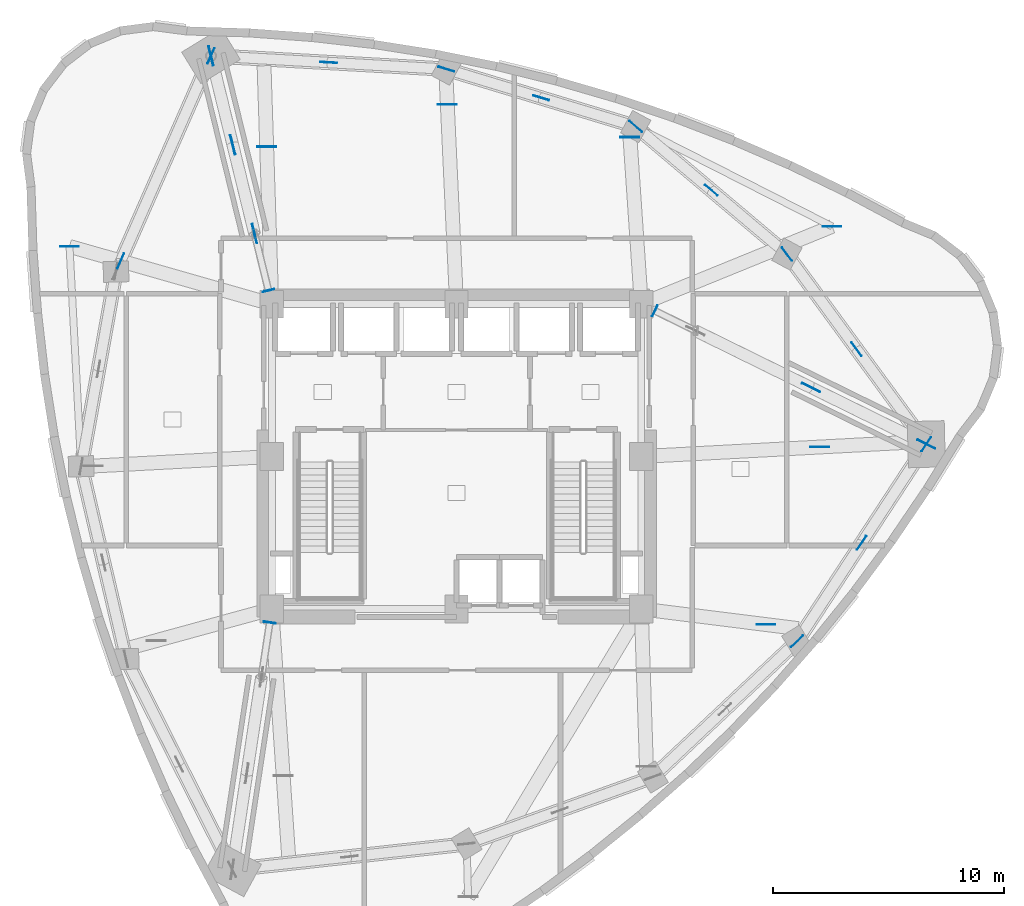
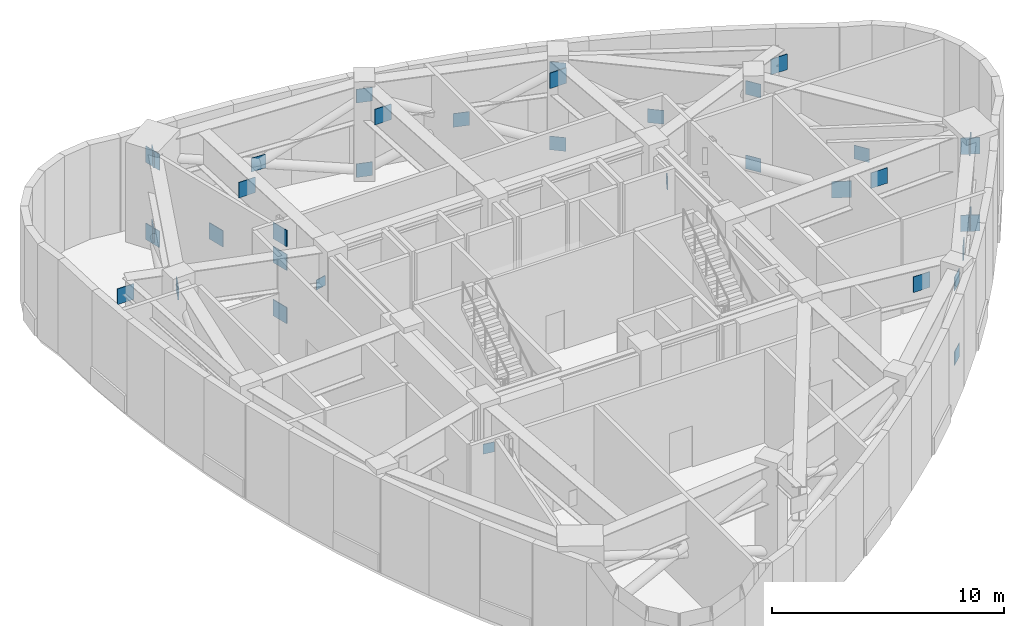
# One storey, part 6 of 12: 37 plates.
"""IFC4 building model written with IfcOpenShell, lengths in metres."""

from ifc_helpers import new_model, si_unit, direction, frame, origin, origin_2d, place, context, subcontext, project, spatial, rectangle, extrude, material, layer, layer_set, type_object, element, save


model = new_model("IFC4")

# Units and contexts
model_context = context("Model", 3, precision=1e-05, world=origin(), true_north=direction((0.0, 1.0)))
body_context = subcontext(model_context, "Body", "Model", "MODEL_VIEW")
ifc_project = project(units=[si_unit("LENGTHUNIT", "METRE"), si_unit("AREAUNIT", "SQUARE_METRE"), si_unit("VOLUMEUNIT", "CUBIC_METRE"), si_unit("PLANEANGLEUNIT", "RADIAN"), si_unit("MASSUNIT", "GRAM", prefix="KILO")], contexts=[model_context])

# Site, building, storey
site_placement = place(None, origin())
site = spatial("IfcSite", under=ifc_project, at=site_placement, CompositionType="ELEMENT")
building_placement = place(site_placement, origin())
building = spatial("IfcBuilding", under=site, at=building_placement, Name="Ndelora Gate Hotel", CompositionType="ELEMENT")
storey_placement = place(building_placement, frame((0.0, 0.0, 168.5)))
storey = spatial("IfcBuildingStorey", under=building, at=storey_placement, Name="L42", CompositionType="ELEMENT", Elevation=168.5)

# Plates
ifc_material = material(Name="Steel S460", Category="steel")
ifc_layer_1 = layer(ifc_material, 0.035888671875)
ifc_layer_set_1 = layer_set([ifc_layer_1], Name="Steel S460")
plate_type_1 = type_object("IfcPlateType", Name="PL-EMBED-EP1", PredefinedType="USERDEFINED", material=ifc_layer_set_1)
for number, where, z_axis, x_axis, name in (
    (1, (-8.14453125, 7.18994140625, 2.5400390625), (0.0, 0.0, 1.0), (0.971300571005, 0.237855419878, 0.0), "L42 Core shear-wall cast-in embed plate EP1"),
    (2, (-8.08935546875, -7.18994140625, 2.5400390625), (0.0, 0.0, 1.0), (-0.988704123128, 0.149880475413, 0.0), "L42 Core shear-wall cast-in embed plate EP1"),
    (3, (8.590087890625, 6.31005859375, 2.5400390625), (0.0, 0.0, 1.0), (0.441192623644, 0.897412429623, 0.0), "L42 Core shear-wall cast-in embed plate EP1"),
):
    element("IfcPlate", number, at=place(storey_placement, frame(where, z_axis=z_axis, x_axis=x_axis)), inside=storey, type_object=plate_type_1, Name=name, ObjectType="BASE_PLATE", PredefinedType="USERDEFINED", context=body_context, shape_type="SweptSolid", body=[
        extrude(rectangle(XDim=0.52001953125, YDim=0.035888671875, at=origin_2d()), origin(), (0.0, 0.0, 1.0), 0.52001953125),
    ])
ifc_layer_2 = layer(ifc_material, 0.028076171875)
ifc_layer_set_2 = layer_set([ifc_layer_2], Name="Steel S460")
plate_type_2 = type_object("IfcPlateType", Name="PL-NODE-BN2", PredefinedType="USERDEFINED", material=ifc_layer_set_2)
for number, where, z_axis, x_axis, name in (
    (4, (-10.63330078125, 17.351806640625, -0.1201171875), (0.0, 0.0, 1.0), (0.402906435714, 0.915241172621, 0.0), "Node gusset cap plate BN2"),
    (5, (-14.543701171875, 8.46728515625, 3.60693359375), (0.0, 0.0, 1.0), (0.402906435714, 0.915241172621, 0.0), "Node gusset cap plate BN2"),
    (6, (-10.63330078125, 17.351806640625, 3.7998046875), (0.0, 0.0, 1.0), (0.402906435714, 0.915241172621, 0.0), "Node gusset cap plate BN2"),
    (7, (14.74658203125, -8.006591796875, 3.7998046875), (0.0, 0.0, 1.0), (0.728370969882, 0.685182990326, 0.0), "Node gusset cap plate BN2"),
    (8, (14.74658203125, -8.006591796875, -0.1201171875), (0.0, 0.0, 1.0), (0.728370969882, 0.685182990326, 0.0), "Node gusset cap plate BN2"),
    (9, (20.34375, 0.53271484375, 3.7998046875), (0.0, 0.0, 1.0), (0.548147261701, 0.836381838331, 0.0), "Node gusset cap plate BN2"),
    (10, (20.34375, 0.53271484375, -0.1201171875), (0.0, 0.0, 1.0), (0.548147261701, 0.836381838331, 0.0), "Node gusset cap plate BN2"),
    (11, (17.545166015625, -3.737060546875, 1.83984375), (0.0, 0.0, 1.0), (0.548147261701, 0.836381838331, 0.0), "Node gusset cap plate BN2"),
    (12, (14.30712890625, 8.767333984375, 3.7998046875), (0.0, 0.0, 1.0), (-0.591168888222, 0.806547794987, 0.0), "Node gusset cap plate BN2"),
    (13, (14.30712890625, 8.767333984375, -0.1201171875), (0.0, 0.0, 1.0), (-0.591168888222, 0.806547794987, 0.0), "Node gusset cap plate BN2"),
    (14, (17.325439453125, 4.650146484375, 1.83984375), (0.0, 0.0, 1.0), (-0.591168888222, 0.806547794987, 0.0), "Node gusset cap plate BN2"),
    (15, (7.759033203125, 14.290283203125, 3.7998046875), (0.0, 0.0, 1.0), (-0.764359005823, 0.644790904261, 0.0), "Node gusset cap plate BN2"),
    (16, (7.759033203125, 14.290283203125, -0.1201171875), (0.0, 0.0, 1.0), (-0.764359005823, 0.644790904261, 0.0), "Node gusset cap plate BN2"),
    (17, (11.033203125, 11.52880859375, 1.83984375), (0.0, 0.0, 1.0), (-0.764359005823, 0.644790904261, 0.0), "Node gusset cap plate BN2"),
    (18, (-0.439208984375, 16.7744140625, 3.7998046875), (0.0, 0.0, 1.0), (-0.957016299288, 0.290034140915, 0.0), "Node gusset cap plate BN2"),
    (19, (-0.439208984375, 16.7744140625, -0.1201171875), (0.0, 0.0, 1.0), (-0.957016299288, 0.290034140915, 0.0), "Node gusset cap plate BN2"),
    (20, (3.659912109375, 15.532470703125, 1.83984375), (0.0, 0.0, 1.0), (-0.957016299288, 0.290034140915, 0.0), "Node gusset cap plate BN2"),
    (21, (-5.5361328125, 17.06298828125, 1.83984375), (0.0, 0.0, 1.0), (-0.998401550109, 0.056518534482, 0.0), "Node gusset cap plate BN2"),
):
    element("IfcPlate", number, at=place(storey_placement, frame(where, z_axis=z_axis, x_axis=x_axis)), inside=storey, type_object=plate_type_2, Name=name, ObjectType="GUSSET_PLATE", PredefinedType="USERDEFINED", context=body_context, shape_type="SweptSolid", body=[
        extrude(rectangle(XDim=0.719970703125, YDim=0.028076171875, at=origin_2d()), origin(), (0.0, 0.0, 1.0), 0.719970703125),
    ])
ifc_layer_3 = layer(ifc_material, 0.033935546875)
ifc_layer_set_3 = layer_set([ifc_layer_3], Name="Steel S460")
plate_type_3 = type_object("IfcPlateType", Name="PL-NODE-KN2", PredefinedType="USERDEFINED", material=ifc_layer_set_3)
for number, where, z_axis, x_axis, name in (
    (22, (-16.759521484375, 9.099609375, 3.64990234375), (0.0, 0.0, 1.0), (1.0, 0.0, 0.0), "Node gusset cap plate KN2"),
    (23, (16.26025390625, 9.96435546875, 3.64990234375), (0.0, 0.0, 1.0), (1.0, 0.0, 0.0), "Node gusset cap plate KN2"),
    (24, (13.400390625, -7.275634765625, 3.64990234375), (0.0, 0.0, 1.0), (1.0, 0.0, 0.0), "Node gusset cap plate KN2"),
    (25, (15.72998046875, 0.411865234375, 3.64990234375), (0.0, 0.0, 1.0), (1.0, 0.0, 0.0), "Node gusset cap plate KN2"),
    (26, (7.50830078125, 13.828369140625, 3.64990234375), (0.0, 0.0, 1.0), (1.0, 0.0, 0.0), "Node gusset cap plate KN2"),
    (27, (-0.399169921875, 15.242919921875, 3.64990234375), (0.0, 0.0, 1.0), (1.0, 0.0, 0.0), "Node gusset cap plate KN2"),
    (28, (-8.2216796875, 13.41650390625, 3.64990234375), (0.0, 0.0, 1.0), (1.0, 0.0, 0.0), "Node gusset cap plate KN2"),
):
    element("IfcPlate", number, at=place(storey_placement, frame(where, z_axis=z_axis, x_axis=x_axis)), inside=storey, type_object=plate_type_3, Name=name, ObjectType="GUSSET_PLATE", PredefinedType="USERDEFINED", context=body_context, shape_type="SweptSolid", body=[
        extrude(rectangle(XDim=0.820068359375, YDim=0.033935546875, at=origin_2d()), origin(), (0.0, 0.0, 1.0), 0.820068359375),
    ])
ifc_layer_4 = layer(ifc_material, 0.035888671875)
ifc_layer_set_4 = layer_set([ifc_layer_4], Name="Steel S460")
plate_type_4 = type_object("IfcPlateType", Name="PL-NODE-ON1", PredefinedType="USERDEFINED", material=ifc_layer_set_4)
for number, where, z_axis, x_axis, name in (
    (29, (-8.7470703125, 9.64990234375, 2.3701171875), (0.0, 0.0, 1.0), (-0.237855419878, 0.971300571005, 0.0), "Node gusset cap plate ON1"),
    (30, (-8.7470703125, 9.64990234375, -0.43017578125), (0.0, 0.0, 1.0), (-0.237855419878, 0.971300571005, 0.0), "Node gusset cap plate ON1"),
    (31, (-10.63330078125, 17.351806640625, 3.6298828125), (0.0, 0.0, 1.0), (-0.237855419878, 0.971300571005, 0.0), "Node gusset cap plate ON1"),
    (32, (-8.7470703125, 9.64990234375, 3.6298828125), (0.0, 0.0, 1.0), (-0.237855419878, 0.971300571005, 0.0), "Node gusset cap plate ON1"),
    (33, (-10.63330078125, 17.351806640625, -0.43017578125), (0.0, 0.0, 1.0), (-0.237855419878, 0.971300571005, 0.0), "Node gusset cap plate ON1"),
    (34, (-9.690185546875, 13.5009765625, 1.60009765625), (0.0, 0.0, 1.0), (-0.237855419878, 0.971300571005, 0.0), "Node gusset cap plate ON1"),
    (35, (20.34375, 0.53271484375, 3.6298828125), (0.0, 0.0, 1.0), (-0.897412429623, 0.441192623644, 0.0), "Node gusset cap plate ON1"),
    (36, (20.34375, 0.53271484375, -0.43017578125), (0.0, 0.0, 1.0), (-0.897412429623, 0.441192623644, 0.0), "Node gusset cap plate ON1"),
    (37, (15.346923828125, 2.98876953125, 1.60009765625), (0.0, 0.0, 1.0), (-0.897412429623, 0.441192623644, 0.0), "Node gusset cap plate ON1"),
):
    element("IfcPlate", number, at=place(storey_placement, frame(where, z_axis=z_axis, x_axis=x_axis)), inside=storey, type_object=plate_type_4, Name=name, ObjectType="GUSSET_PLATE", PredefinedType="USERDEFINED", context=body_context, shape_type="SweptSolid", body=[
        extrude(rectangle(XDim=0.860107421875, YDim=0.035888671875, at=origin_2d()), origin(), (0.0, 0.0, 1.0), 0.860107421875),
    ])

save(model, "model.ifc")
